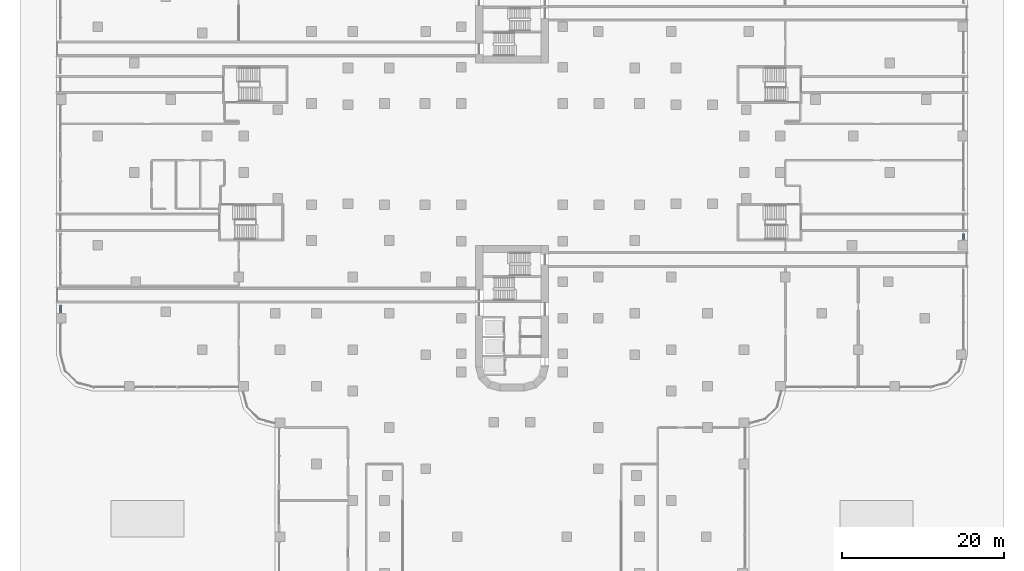
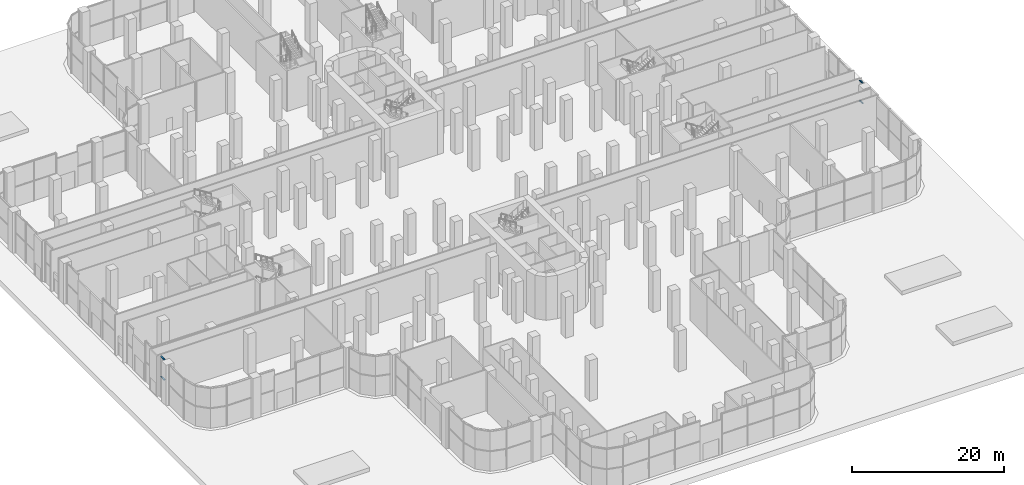
# One storey, part 11 of 34: 4 members, 2 elements without a shape of their own.
"""IFC4 building model written with IfcOpenShell, lengths in metres."""

from ifc_helpers import new_model, si_unit, direction, origin, place, context, subcontext, project, spatial, polyline, outline, extrude, source, transform, mapped, material, type_object, element, aggregate, save


model = new_model("IFC4")

# Units and contexts
model_context = context("Model", 3, precision=1e-05, world=origin(), true_north=direction((0.0, 1.0)))
body_context = subcontext(model_context, "Body", "Model", "MODEL_VIEW")
ifc_project = project(units=[si_unit("LENGTHUNIT", "METRE"), si_unit("AREAUNIT", "SQUARE_METRE"), si_unit("VOLUMEUNIT", "CUBIC_METRE"), si_unit("PLANEANGLEUNIT", "RADIAN"), si_unit("MASSUNIT", "GRAM", prefix="KILO")], contexts=[model_context])

# Site, building, storey
site_placement = place(None, origin())
site = spatial("IfcSite", under=ifc_project, at=site_placement, CompositionType="ELEMENT")
building_placement = place(site_placement, origin())
building = spatial("IfcBuilding", under=site, at=building_placement, Name="Zarbagh Exchange Tower", CompositionType="ELEMENT")
storey_placement = place(building_placement, origin())
storey = spatial("IfcBuildingStorey", under=building, at=storey_placement, Name="L00", CompositionType="ELEMENT", Elevation=0.0)

# Curtain wall, members
ifc_material_1 = material(Name="Anodised aluminium frame and glazing", Category="aluminium")
curtain_wall_type = type_object("IfcCurtainWallType", Name="CWC Podium garden-wall glazing", PredefinedType="NOTDEFINED", material=ifc_material_1)
curtain_wall_1_placement = place(storey_placement, origin())
curtain_wall_1 = element("IfcCurtainWall", 1, at=curtain_wall_1_placement, inside=storey, type_object=curtain_wall_type, Name="CWC13 curtain wall", PredefinedType="NOTDEFINED")
ifc_material_2 = material(Name="Anodised aluminium frame", Category="aluminium")
member_type = type_object("IfcMemberType", Name="TRC Transom, anodised aluminium frame", PredefinedType="USERDEFINED", material=ifc_material_2)
shared_shape_1 = source(origin(), body_context, "Body", "SweptSolid", [
    extrude(outline(polyline([(-0.080078125, -0.090087890625), (0.0, -0.090087890625), (0.0, 0.090087890625), (-0.080078125, 0.090087890625), (-0.080078125, -0.090087890625)])), origin(), (0.0, 0.0, 1.0), 0.739990234375),
])
placement = place(storey_placement, origin())
member_1 = element("IfcMember", 2, at=placement, type_object=member_type, Name="CWC13 transom 2.1", ObjectType="TRANSOM", PredefinedType="USERDEFINED", context=body_context, shape_type="MappedRepresentation", body=[
    mapped(shared_shape_1, transform((55.75, -10.570068359375, 6.550048828125), x_axis=(0.0, 0.0, 1.0), y_axis=(1.0, 0.0, 0.0), z_axis=(0.0, 1.0, 0.0))),
])
shared_shape_2 = source(origin(), body_context, "Body", "SweptSolid", [
    extrude(outline(polyline([(-0.0400390625, -0.090087890625), (0.0400390625, -0.090087890625), (0.0400390625, 0.090087890625), (-0.0400390625, 0.090087890625), (-0.0400390625, -0.090087890625)])), origin(), (0.0, 0.0, 1.0), 0.739990234375),
])
member_2 = element("IfcMember", 3, at=placement, type_object=member_type, Name="CWC13 mid transom 2", ObjectType="TRANSOM", PredefinedType="USERDEFINED", context=body_context, shape_type="MappedRepresentation", body=[
    mapped(shared_shape_2, transform((55.75, -10.570068359375, 3.27490234375), x_axis=(0.0, 0.0, 1.0), y_axis=(1.0, 0.0, 0.0), z_axis=(0.0, 1.0, 0.0))),
])
aggregate(curtain_wall_1, [member_1, member_2])

curtain_wall_2_placement = place(storey_placement, origin())
curtain_wall_2 = element("IfcCurtainWall", 4, at=curtain_wall_2_placement, inside=storey, type_object=curtain_wall_type, Name="CWC37 curtain wall", PredefinedType="NOTDEFINED")
shared_shape_3 = source(origin(), body_context, "Body", "SweptSolid", [
    extrude(outline(polyline([(-0.080078125, -0.090087890625), (0.0, -0.090087890625), (0.0, 0.090087890625), (-0.080078125, 0.090087890625), (-0.080078125, -0.090087890625)])), origin(), (0.0, 0.0, 1.0), 0.889892578125),
])
member_3 = element("IfcMember", 5, at=placement, type_object=member_type, Name="CWC37 transom 8.1", ObjectType="TRANSOM", PredefinedType="USERDEFINED", context=body_context, shape_type="MappedRepresentation", body=[
    mapped(shared_shape_3, transform((-55.75, -18.679931640625, 6.550048828125), x_axis=(0.0, 0.0, 1.0), y_axis=(-1.0, 0.0, 0.0), z_axis=(0.0, -1.0, 0.0))),
])
shared_shape_4 = source(origin(), body_context, "Body", "SweptSolid", [
    extrude(outline(polyline([(-0.0400390625, -0.090087890625), (0.0400390625, -0.090087890625), (0.0400390625, 0.090087890625), (-0.0400390625, 0.090087890625), (-0.0400390625, -0.090087890625)])), origin(), (0.0, 0.0, 1.0), 0.889892578125),
])
member_4 = element("IfcMember", 6, at=placement, type_object=member_type, Name="CWC37 mid transom 8", ObjectType="TRANSOM", PredefinedType="USERDEFINED", context=body_context, shape_type="MappedRepresentation", body=[
    mapped(shared_shape_4, transform((-55.75, -18.679931640625, 3.27490234375), x_axis=(0.0, 0.0, 1.0), y_axis=(-1.0, 0.0, 0.0), z_axis=(0.0, -1.0, 0.0))),
])
aggregate(curtain_wall_2, [member_3, member_4])

save(model, "model.ifc")
